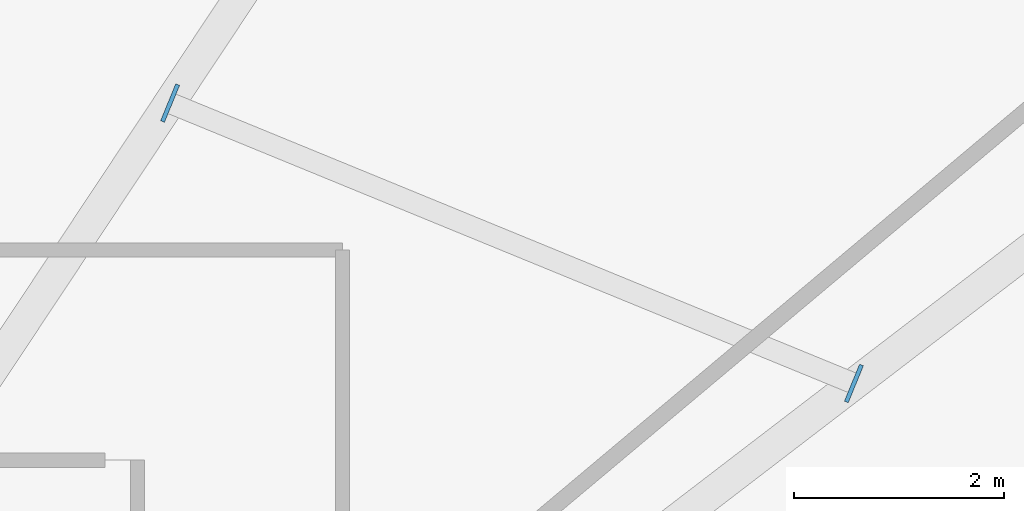
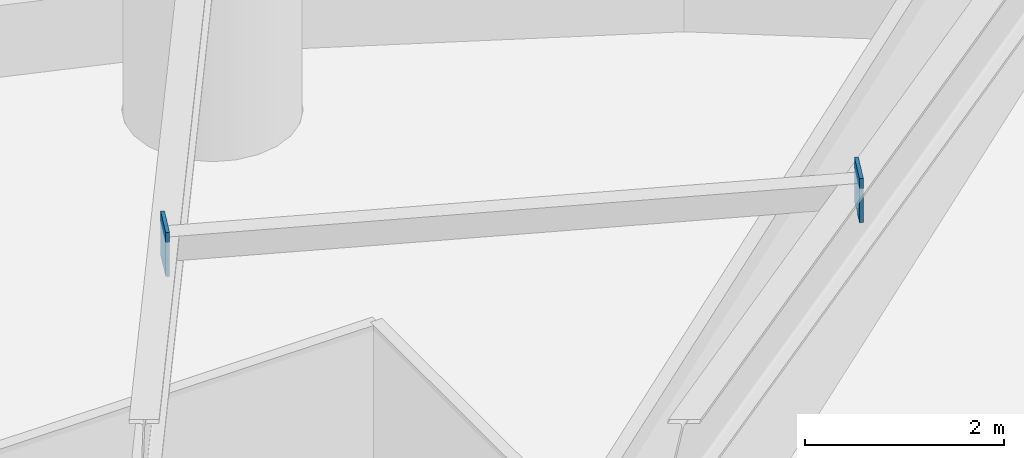
# One storey, part 14 of 30: 2 plates.
"""IFC4 building model written with IfcOpenShell, lengths in metres."""

from ifc_helpers import new_model, si_unit, direction, frame, origin, origin_2d, place, context, subcontext, project, spatial, rectangle, extrude, source, transform, mapped, material, layer, layer_set, type_object, element, save


model = new_model("IFC4")

# Units and contexts
model_context = context("Model", 3, precision=1e-05, world=origin(), true_north=direction((0.0, 1.0)))
body_context = subcontext(model_context, "Body", "Model", "MODEL_VIEW")
ifc_project = project(units=[si_unit("LENGTHUNIT", "METRE"), si_unit("AREAUNIT", "SQUARE_METRE"), si_unit("VOLUMEUNIT", "CUBIC_METRE"), si_unit("PLANEANGLEUNIT", "RADIAN"), si_unit("MASSUNIT", "GRAM", prefix="KILO")], contexts=[model_context])

# Site, building, storey
site_placement = place(None, origin())
site = spatial("IfcSite", under=ifc_project, at=site_placement, CompositionType="ELEMENT")
building_placement = place(site_placement, origin())
building = spatial("IfcBuilding", under=site, at=building_placement, Name="Linh Dai School and Residence Tower", CompositionType="ELEMENT")
storey_placement = place(building_placement, frame((0.0, 0.0, 10.199951171875)))
storey = spatial("IfcBuildingStorey", under=building, at=storey_placement, Name="L02", CompositionType="ELEMENT", Elevation=10.199951171875)

# Plates
ifc_material = material(Name="Structural Steel S355JR", Category="steel")
ifc_layer = layer(ifc_material, 0.0400390625)
ifc_layer_set = layer_set([ifc_layer], Name="Structural Steel S355JR")
plate_type = type_object("IfcPlateType", Name="PLT-GP1", PredefinedType="USERDEFINED", material=ifc_layer_set)
shared_shape = source(origin(), body_context, "Body", "SweptSolid", [
    extrude(rectangle(XDim=0.0400390625, YDim=0.3798828125, at=origin_2d()), origin(), (0.0, 0.0, 1.0), 0.5400390625),
])
for number, where, z_axis, x_axis, name in (
    (1, (52.86376953125, 39.92919921875, 3.47998046875), (0.0, 0.0, 1.0), (-0.925232467292, 0.379400687228, 0.0), "L02 Secondary Beam End Plate 02A"),
    (2, (46.360107421875, 42.59619140625, 3.47998046875), (0.0, 0.0, 1.0), (-0.925232467292, 0.379400687228, 0.0), "L02 Secondary Beam End Plate 02B"),
):
    element("IfcPlate", number, at=place(storey_placement, frame(where, z_axis=z_axis, x_axis=x_axis)), inside=storey, type_object=plate_type, Name=name, ObjectType="GUSSET PLATE", PredefinedType="USERDEFINED", context=body_context, shape_type="MappedRepresentation", body=[
        mapped(shared_shape, transform((0.0, 0.0, 0.0), x_axis=(1.0, 0.0, 0.0), y_axis=(0.0, 1.0, 0.0), z_axis=(0.0, 0.0, 1.0), scale=1.0)),
    ])

save(model, "model.ifc")
